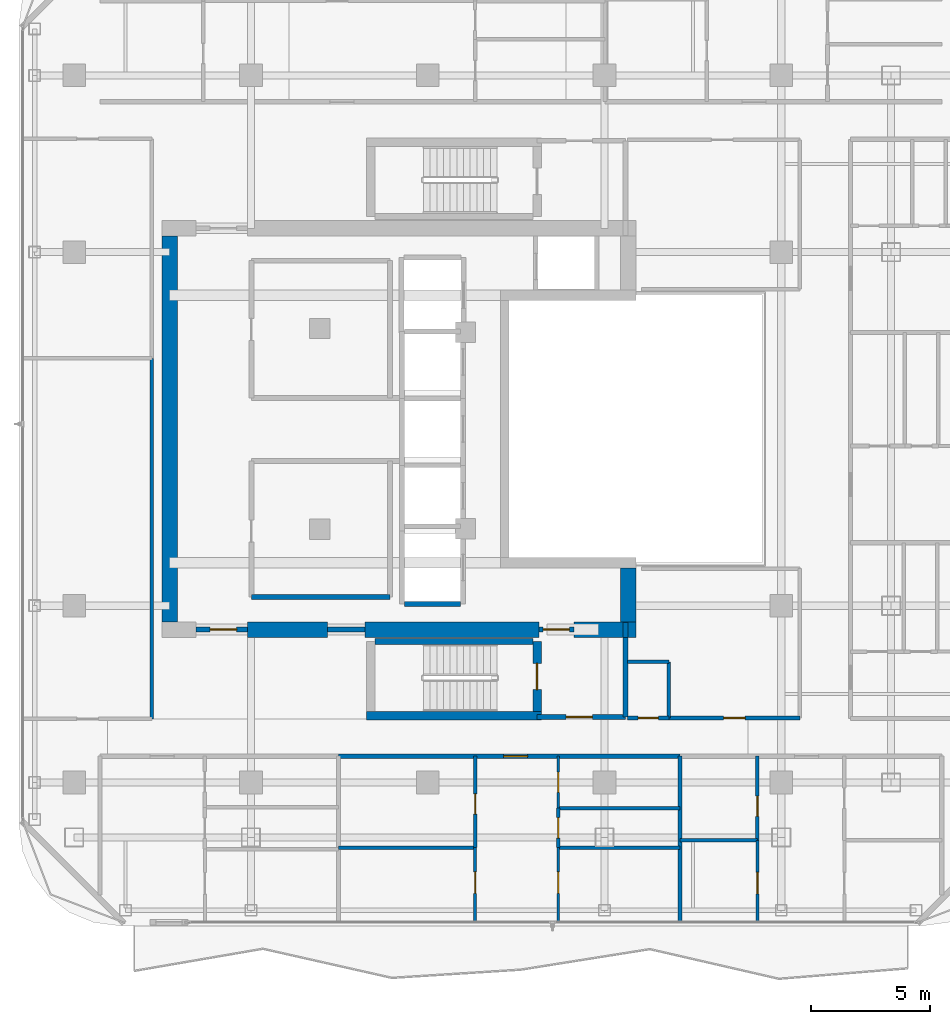
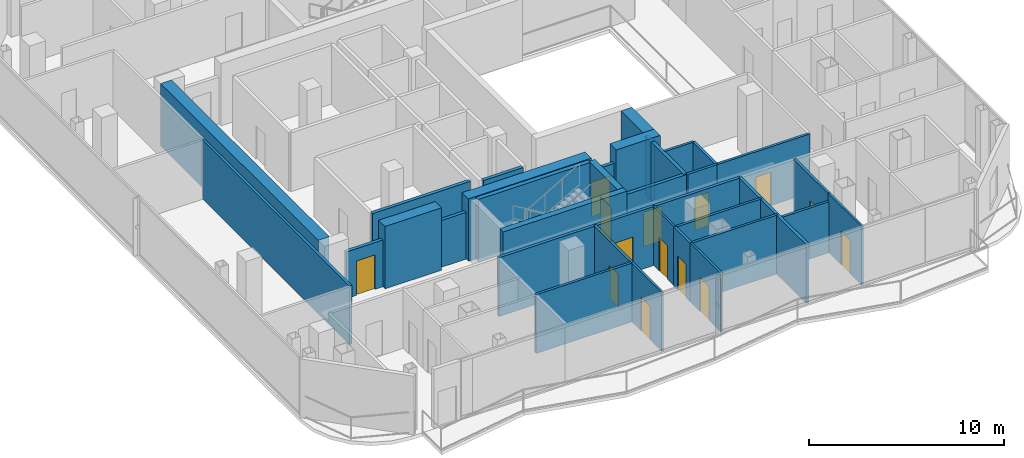
# One storey, part 17 of 26: 34 walls, 14 doors, 14 openings.
"""IFC4 building model written with IfcOpenShell, lengths in metres."""

from ifc_helpers import new_model, si_unit, direction, frame, frame_2d, origin, place, context, subcontext, project, spatial, rectangle, extrude, material, layer, layer_set, type_object, element, fill, save


model = new_model("IFC4")

# Units and contexts
model_context = context("Model", 3, precision=1e-05, world=origin(), true_north=direction((0.0, 1.0)))
body_context = subcontext(model_context, "Body", "Model", "MODEL_VIEW")
ifc_project = project(units=[si_unit("LENGTHUNIT", "METRE"), si_unit("AREAUNIT", "SQUARE_METRE"), si_unit("VOLUMEUNIT", "CUBIC_METRE"), si_unit("PLANEANGLEUNIT", "RADIAN"), si_unit("MASSUNIT", "GRAM", prefix="KILO")], contexts=[model_context])

# Site, building, storey
site_placement = place(None, origin())
site = spatial("IfcSite", under=ifc_project, at=site_placement, CompositionType="ELEMENT")
building_placement = place(site_placement, origin())
building = spatial("IfcBuilding", under=site, at=building_placement, Name="Khorvyn Point Tower", CompositionType="ELEMENT")
storey_placement = place(building_placement, frame((0.0, 0.0, 262.5)))
storey = spatial("IfcBuildingStorey", under=building, at=storey_placement, Name="L64", CompositionType="ELEMENT", Elevation=262.5)

# Wall, opening, door
ifc_material_1 = material(Name="Double acoustic gypsum on twin steel stud", Category="steel")
ifc_layer_1 = layer(ifc_material_1, 0.179931640625)
ifc_layer_set_1 = layer_set([ifc_layer_1], Name="Acoustic Double-Stud Apartment Demising Wall 180")
wall_type_1 = type_object("IfcWallType", Name="Acoustic Double-Stud Apartment Demising Wall 180", PredefinedType="PARTITIONING", material=ifc_layer_set_1)
wall_1_placement = place(storey_placement, frame((-3.735107421875, -13.699951171875, 0.0), z_axis=(0.0, 0.0, 1.0), x_axis=(1.0, 0.0, 0.0)))
wall_1 = element("IfcWall", 1, at=wall_1_placement, inside=storey, type_object=wall_type_1, Name="Wall", PredefinedType="PARTITIONING", context=body_context, shape_type="SweptSolid", body=[
    extrude(rectangle(XDim=14.301025390625, YDim=0.179931640625, at=frame_2d((7.150390625, 0.0))), origin(), (0.0, 0.0, 1.0), 3.679931640625),
])
opening_1_placement = place(wall_1_placement, frame((6.917236328125, 0.0, 0.0)))
opening_1 = element("IfcOpeningElement", 2, at=opening_1_placement, cuts=wall_1, Name="Opening ID-AP60", PredefinedType="OPENING", context=body_context, shape_type="SweptSolid", body=[
    extrude(rectangle(XDim=1.0, YDim=2.199951171875, at=frame_2d((0.5, 1.10009765625))), frame((0.0, 0.099853515625, 0.0), z_axis=(0.0, -1.0, 0.0), x_axis=(1.0, 0.0, 0.0)), (0.0, 0.0, 1.0), 0.199951171875),
])
ifc_material_2 = material(Name="Engineered hardwood fire-rated leaf", Category="wood")
door_type_1 = type_object("IfcDoorType", Name="Acoustic Solid-Core Timber Apartment Entrance Door 1000x2200", OperationType="NOTDEFINED", PredefinedType="DOOR", material=ifc_material_2)
door_1_placement = place(opening_1_placement, origin())
door_1 = element("IfcDoor", 3, at=door_1_placement, inside=storey, type_object=door_type_1, Name="Door", OperationType="SINGLE_SWING_RIGHT", OverallHeight=2.199951171875, OverallWidth=1.0, PredefinedType="DOOR", context=body_context, shape_type="SweptSolid", body=[
    extrude(rectangle(XDim=1.0, YDim=2.199951171875, at=frame_2d((0.5, 1.10009765625))), frame((0.0, 0.02490234375, 0.0), z_axis=(0.0, -1.0, 0.0), x_axis=(1.0, 0.0, 0.0)), (0.0, 0.0, 1.0), 0.050048828125),
])
fill(opening_1, door_1)

# Walls
wall_2_placement = place(storey_placement, frame((10.56591796875, -20.6298828125, 0.0), z_axis=(0.0, 0.0, 1.0), x_axis=(0.0, 1.0, 0.0)))
element("IfcWall", 4, at=wall_2_placement, inside=storey, type_object=wall_type_1, Name="Wall", PredefinedType="PARTITIONING", context=body_context, shape_type="SweptSolid", body=[
    extrude(rectangle(XDim=6.929931640625, YDim=0.179931640625, at=frame_2d((3.46484375, 0.0))), origin(), (0.0, 0.0, 1.0), 3.679931640625),
])
ifc_material_3 = material(Name="Concrete C40/50", Category="concrete")
ifc_layer_2 = layer(ifc_material_3, 0.64990234375)
ifc_layer_set_2 = layer_set([ifc_layer_2], Name="Concrete C40/50 Core Shear Wall 650")
wall_type_2 = type_object("IfcWallType", Name="Concrete C40/50 Core Shear Wall 650", PredefinedType="SHEAR", material=ifc_layer_set_2)
wall_3_placement = place(storey_placement, frame((-7.550048828125, -8.39990234375, 0.0), z_axis=(0.0, 0.0, 1.0), x_axis=(1.0, 0.0, 0.0)))
element("IfcWall", 5, at=wall_3_placement, inside=storey, type_object=wall_type_2, Name="Wall", PredefinedType="SHEAR", context=body_context, shape_type="SweptSolid", body=[
    extrude(rectangle(XDim=3.35009765625, YDim=0.64990234375, at=frame_2d((1.675048828125, 0.0))), origin(), (0.0, 0.0, 1.0), 3.89990234375),
])
wall_4_placement = place(storey_placement, frame((-2.6201171875, -8.39990234375, 0.0), z_axis=(0.0, 0.0, 1.0), x_axis=(1.0, 0.0, 0.0)))
element("IfcWall", 6, at=wall_4_placement, inside=storey, type_object=wall_type_2, Name="Wall", PredefinedType="SHEAR", context=body_context, shape_type="SweptSolid", body=[
    extrude(rectangle(XDim=7.27001953125, YDim=0.64990234375, at=frame_2d((3.635009765625, 0.0))), origin(), (0.0, 0.0, 1.0), 3.89990234375),
])
wall_5_placement = place(storey_placement, frame((6.1201171875, -8.39990234375, 0.0), z_axis=(0.0, 0.0, 1.0), x_axis=(1.0, 0.0, 0.0)))
element("IfcWall", 7, at=wall_5_placement, inside=storey, type_object=wall_type_2, Name="Wall", PredefinedType="SHEAR", context=body_context, shape_type="SweptSolid", body=[
    extrude(rectangle(XDim=2.60498046875, YDim=0.64990234375, at=frame_2d((1.302490234375, 0.0))), origin(), (0.0, 0.0, 1.0), 3.89990234375),
])
wall_6_placement = place(storey_placement, frame((-10.800048828125, -8.074951171875, 0.0), z_axis=(0.0, 0.0, 1.0), x_axis=(0.0, 1.0, 0.0)))
element("IfcWall", 8, at=wall_6_placement, inside=storey, type_object=wall_type_2, Name="Wall", PredefinedType="SHEAR", context=body_context, shape_type="SweptSolid", body=[
    extrude(rectangle(XDim=16.14990234375, YDim=0.64990234375, at=frame_2d((8.074951171875, 0.0))), origin(), (0.0, 0.0, 1.0), 3.89990234375),
])
wall_7_placement = place(storey_placement, frame((8.39990234375, -8.074951171875, 0.0), z_axis=(0.0, 0.0, 1.0), x_axis=(0.0, 1.0, 0.0)))
element("IfcWall", 9, at=wall_7_placement, inside=storey, type_object=wall_type_2, Name="Wall", PredefinedType="SHEAR", context=body_context, shape_type="SweptSolid", body=[
    extrude(rectangle(XDim=2.25, YDim=0.64990234375, at=frame_2d((1.125, 0.0))), origin(), (0.0, 0.0, 1.0), 3.89990234375),
])

# Wall, opening, door
ifc_layer_3 = layer(ifc_material_3, 0.199951171875)
ifc_layer_set_3 = layer_set([ifc_layer_3], Name="Concrete C40/50 Fire-Lobby Compartment Wall 200")
wall_type_3 = type_object("IfcWallType", Name="Concrete C40/50 Fire-Lobby Compartment Wall 200", PredefinedType="SOLIDWALL", material=ifc_layer_set_3)
wall_8_placement = place(storey_placement, frame((4.580078125, -12.06005859375, 0.0), z_axis=(0.0, 0.0, 1.0), x_axis=(1.0, 0.0, 0.0)))
wall_8 = element("IfcWall", 10, at=wall_8_placement, inside=storey, type_object=wall_type_3, Name="Wall", PredefinedType="SOLIDWALL", context=body_context, shape_type="SweptSolid", body=[
    extrude(rectangle(XDim=3.699951171875, YDim=0.199951171875, at=frame_2d((1.85009765625, 0.0))), origin(), (0.0, 0.0, 1.0), 3.679931640625),
])
opening_2_placement = place(wall_8_placement, frame((1.21240234375, 0.0, 0.0)))
opening_2 = element("IfcOpeningElement", 11, at=opening_2_placement, cuts=wall_8, Name="Opening ID-FL90", PredefinedType="OPENING", context=body_context, shape_type="SweptSolid", body=[
    extrude(rectangle(XDim=1.10009765625, YDim=2.14990234375, at=frame_2d((0.550048828125, 1.074951171875))), frame((0.0, 0.10986328125, 0.0), z_axis=(0.0, -1.0, 0.0), x_axis=(1.0, 0.0, 0.0)), (0.0, 0.0, 1.0), 0.219970703125),
])
ifc_material_4 = material(Name="Galvanised powder-coated steel", Category="steel")
door_type_2 = type_object("IfcDoorType", Name="Fire-Rated Steel Lobby and Stair Door 1100x2150", OperationType="NOTDEFINED", PredefinedType="DOOR", material=ifc_material_4)
door_2_placement = place(opening_2_placement, origin())
door_2 = element("IfcDoor", 12, at=door_2_placement, inside=storey, type_object=door_type_2, Name="Door", OperationType="SINGLE_SWING_LEFT", OverallHeight=2.14990234375, OverallWidth=1.10009765625, PredefinedType="DOOR", context=body_context, shape_type="SweptSolid", body=[
    extrude(rectangle(XDim=1.10009765625, YDim=2.14990234375, at=frame_2d((0.550048828125, 1.074951171875))), frame((0.0, 0.02490234375, 0.0), z_axis=(0.0, -1.0, 0.0), x_axis=(1.0, 0.0, 0.0)), (0.0, 0.0, 1.0), 0.050048828125),
])
fill(opening_2, door_2)

wall_9_placement = place(storey_placement, frame((4.64990234375, -8.39990234375, 0.0), z_axis=(0.0, 0.0, 1.0), x_axis=(1.0, 0.0, 0.0)))
wall_9 = element("IfcWall", 13, at=wall_9_placement, inside=storey, type_object=wall_type_3, Name="Wall", PredefinedType="SOLIDWALL", context=body_context, shape_type="SweptSolid", body=[
    extrude(rectangle(XDim=1.47021484375, YDim=0.199951171875, at=frame_2d((0.735107421875, 0.0))), origin(), (0.0, 0.0, 1.0), 2.919921875),
])
opening_3_placement = place(wall_9_placement, frame((0.18505859375, 0.0, 0.0)))
opening_3 = element("IfcOpeningElement", 14, at=opening_3_placement, cuts=wall_9, Name="Opening ID-FL90", PredefinedType="OPENING", context=body_context, shape_type="SweptSolid", body=[
    extrude(rectangle(XDim=1.10009765625, YDim=2.14990234375, at=frame_2d((0.550048828125, 1.074951171875))), frame((0.0, 0.10986328125, 0.0), z_axis=(0.0, -1.0, 0.0), x_axis=(1.0, 0.0, 0.0)), (0.0, 0.0, 1.0), 0.219970703125),
])
door_3_placement = place(opening_3_placement, origin())
door_3 = element("IfcDoor", 15, at=door_3_placement, inside=storey, type_object=door_type_2, Name="Door", OperationType="SINGLE_SWING_RIGHT", OverallHeight=2.14990234375, OverallWidth=1.10009765625, PredefinedType="DOOR", context=body_context, shape_type="SweptSolid", body=[
    extrude(rectangle(XDim=1.10009765625, YDim=2.14990234375, at=frame_2d((0.550048828125, 1.074951171875))), frame((0.0, 0.02490234375, 0.0), z_axis=(0.0, -1.0, 0.0), x_axis=(1.0, 0.0, 0.0)), (0.0, 0.0, 1.0), 0.050048828125),
])
fill(opening_3, door_3)

wall_10_placement = place(storey_placement, frame((-9.699951171875, -8.39990234375, 0.0), z_axis=(0.0, 0.0, 1.0), x_axis=(1.0, 0.0, 0.0)))
wall_10 = element("IfcWall", 16, at=wall_10_placement, inside=storey, type_object=wall_type_3, Name="Wall", PredefinedType="SOLIDWALL", context=body_context, shape_type="SweptSolid", body=[
    extrude(rectangle(XDim=2.14990234375, YDim=0.199951171875, at=frame_2d((1.074951171875, 0.0))), origin(), (0.0, 0.0, 1.0), 2.919921875),
])
opening_4_placement = place(wall_10_placement, frame((0.597900390625, 0.0, 0.0)))
opening_4 = element("IfcOpeningElement", 17, at=opening_4_placement, cuts=wall_10, Name="Opening ID-FL90", PredefinedType="OPENING", context=body_context, shape_type="SweptSolid", body=[
    extrude(rectangle(XDim=1.10009765625, YDim=2.14990234375, at=frame_2d((0.550048828125, 1.074951171875))), frame((0.0, 0.10986328125, 0.0), z_axis=(0.0, -1.0, 0.0), x_axis=(1.0, 0.0, 0.0)), (0.0, 0.0, 1.0), 0.219970703125),
])
door_4_placement = place(opening_4_placement, origin())
door_4 = element("IfcDoor", 18, at=door_4_placement, inside=storey, type_object=door_type_2, Name="Door", OperationType="SINGLE_SWING_RIGHT", OverallHeight=2.14990234375, OverallWidth=1.10009765625, PredefinedType="DOOR", context=body_context, shape_type="SweptSolid", body=[
    extrude(rectangle(XDim=1.10009765625, YDim=2.14990234375, at=frame_2d((0.550048828125, 1.074951171875))), frame((0.0, 0.02490234375, 0.0), z_axis=(0.0, -1.0, 0.0), x_axis=(1.0, 0.0, 0.0)), (0.0, 0.0, 1.0), 0.050048828125),
])
fill(opening_4, door_4)

# Walls
wall_11_placement = place(storey_placement, frame((8.280029296875, -12.06005859375, 0.0), z_axis=(0.0, 0.0, 1.0), x_axis=(0.0, 1.0, 0.0)))
element("IfcWall", 19, at=wall_11_placement, inside=storey, type_object=wall_type_3, Name="Wall", PredefinedType="SOLIDWALL", context=body_context, shape_type="SweptSolid", body=[
    extrude(rectangle(XDim=3.3349609375, YDim=0.199951171875, at=frame_2d((1.66748046875, 0.0))), origin(), (0.0, 0.0, 1.0), 3.679931640625),
])
wall_12_placement = place(storey_placement, frame((-4.199951171875, -8.39990234375, 0.0), z_axis=(0.0, 0.0, 1.0), x_axis=(1.0, 0.0, 0.0)))
element("IfcWall", 20, at=wall_12_placement, inside=storey, type_object=wall_type_3, Name="Wall", PredefinedType="SOLIDWALL", context=body_context, shape_type="SweptSolid", body=[
    extrude(rectangle(XDim=1.579833984375, YDim=0.199951171875, at=frame_2d((0.7900390625, 0.0))), origin(), (0.0, 0.0, 1.0), 2.919921875),
])
wall_13_placement = place(storey_placement, frame((-7.3798828125, -7.0400390625, 0.0), z_axis=(0.0, 0.0, 1.0), x_axis=(1.0, 0.0, 0.0)))
element("IfcWall", 21, at=wall_13_placement, inside=storey, type_object=wall_type_3, Name="Wall", PredefinedType="SOLIDWALL", context=body_context, shape_type="SweptSolid", body=[
    extrude(rectangle(XDim=5.7998046875, YDim=0.199951171875, at=frame_2d((2.89990234375, 0.0))), origin(), (0.0, 0.0, 1.0), 3.679931640625),
])
wall_14_placement = place(storey_placement, frame((8.280029296875, -8.72509765625, 0.0), z_axis=(0.0, 0.0, 1.0), x_axis=(0.0, 1.0, 0.0)))
element("IfcWall", 22, at=wall_14_placement, inside=storey, type_object=wall_type_3, Name="Wall", PredefinedType="SOLIDWALL", context=body_context, shape_type="SweptSolid", body=[
    extrude(rectangle(XDim=0.625, YDim=0.199951171875, at=frame_2d((0.3125, 0.0))), origin(), (0.0, 0.0, 1.0), 3.679931640625),
])
ifc_layer_4 = layer(ifc_material_3, 0.25)
ifc_layer_set_4 = layer_set([ifc_layer_4], Name="Concrete C40/50 Stair Inner Cheek Structural Wall 250")
wall_type_4 = type_object("IfcWallType", Name="Concrete C40/50 Stair Inner Cheek Structural Wall 250", PredefinedType="SHEAR", material=ifc_layer_set_4)
wall_15_placement = place(storey_placement, frame((-2.199951171875, -8.89990234375, 0.0), z_axis=(0.0, 0.0, 1.0), x_axis=(1.0, 0.0, 0.0)))
element("IfcWall", 23, at=wall_15_placement, inside=storey, type_object=wall_type_4, Name="Wall", PredefinedType="SHEAR", context=body_context, shape_type="SweptSolid", body=[
    extrude(rectangle(XDim=6.599853515625, YDim=0.25, at=frame_2d((3.2998046875, 0.0))), origin(), (0.0, 0.0, 1.0), 3.89990234375),
])
ifc_layer_5 = layer(ifc_material_3, 0.35009765625)
ifc_layer_set_5 = layer_set([ifc_layer_5], Name="Concrete C40/50 Stair Shaft Structural Wall 350")
wall_type_5 = type_object("IfcWallType", Name="Concrete C40/50 Stair Shaft Structural Wall 350", PredefinedType="SHEAR", material=ifc_layer_set_5)
wall_16_placement = place(storey_placement, frame((-2.554931640625, -12.0, 0.0), z_axis=(0.0, 0.0, 1.0), x_axis=(1.0, 0.0, 0.0)))
element("IfcWall", 24, at=wall_16_placement, inside=storey, type_object=wall_type_5, Name="L64 ST-01 South Shaft Wall", PredefinedType="SHEAR", context=body_context, shape_type="SweptSolid", body=[
    extrude(rectangle(XDim=7.309814453125, YDim=0.35009765625, at=frame_2d((3.65478515625, 0.0))), origin(), (0.0, 0.0, 1.0), 3.89990234375),
])

# Wall, opening, door
wall_17_placement = place(storey_placement, frame((4.580078125, -8.89990234375, 0.0), z_axis=(0.0, 0.0, 1.0), x_axis=(0.0, -1.0, 0.0)))
wall_17 = element("IfcWall", 25, at=wall_17_placement, inside=storey, type_object=wall_type_5, Name="L64 ST-01 East Landing Door Wall", PredefinedType="SHEAR", context=body_context, shape_type="SweptSolid", body=[
    extrude(rectangle(XDim=2.925048828125, YDim=0.35009765625, at=frame_2d((1.46240234375, 0.0))), origin(), (0.0, 0.0, 1.0), 3.89990234375),
])
opening_5_placement = place(wall_17_placement, frame((0.91259765625, 0.0, 0.0)))
opening_5 = element("IfcOpeningElement", 26, at=opening_5_placement, cuts=wall_17, Name="Opening ID-FL90", PredefinedType="OPENING", context=body_context, shape_type="SweptSolid", body=[
    extrude(rectangle(XDim=1.10009765625, YDim=2.14990234375, at=frame_2d((0.550048828125, 1.074951171875))), frame((0.0, 0.18505859375, 0.0), z_axis=(0.0, -1.0, 0.0), x_axis=(1.0, 0.0, 0.0)), (0.0, 0.0, 1.0), 0.3701171875),
])
door_5_placement = place(opening_5_placement, origin())
door_5 = element("IfcDoor", 27, at=door_5_placement, inside=storey, type_object=door_type_2, Name="L64 ST-01 Smokeproof Landing Door", OperationType="SINGLE_SWING_RIGHT", OverallHeight=2.14990234375, OverallWidth=1.10009765625, PredefinedType="DOOR", context=body_context, shape_type="SweptSolid", body=[
    extrude(rectangle(XDim=1.10009765625, YDim=2.14990234375, at=frame_2d((0.550048828125, 1.074951171875))), frame((0.0, 0.02490234375, 0.0), z_axis=(0.0, -1.0, 0.0), x_axis=(1.0, 0.0, 0.0)), (0.0, 0.0, 1.0), 0.050048828125),
])
fill(opening_5, door_5)

# Wall
ifc_layer_6 = layer(ifc_material_3, 0.199951171875)
ifc_layer_set_6 = layer_set([ifc_layer_6], Name="Concrete C40/50 Structural Hoistway and Stair Shaft Wall 200")
wall_type_6 = type_object("IfcWallType", Name="Concrete C40/50 Structural Hoistway and Stair Shaft Wall 200", PredefinedType="SHEAR", material=ifc_layer_set_6)
wall_18_placement = place(storey_placement, frame((-0.97509765625, -7.324951171875, 0.0), z_axis=(0.0, 0.0, 1.0), x_axis=(1.0, 0.0, 0.0)))
element("IfcWall", 28, at=wall_18_placement, inside=storey, type_object=wall_type_6, Name="Wall", PredefinedType="SHEAR", context=body_context, shape_type="SweptSolid", body=[
    extrude(rectangle(XDim=2.35009765625, YDim=0.199951171875, at=frame_2d((1.175048828125, 0.0))), origin(), (0.0, 0.0, 1.0), 3.679931640625),
])

# Wall, opening, door
ifc_material_5 = material(Name="Gypsum plasterboard on steel stud", Category="steel")
ifc_layer_7 = layer(ifc_material_5, 0.1201171875)
ifc_layer_set_7 = layer_set([ifc_layer_7], Name="Gypsum Acoustic Stud Room Partition Wall 120")
wall_type_7 = type_object("IfcWallType", Name="Gypsum Acoustic Stud Room Partition Wall 120", PredefinedType="PARTITIONING", material=ifc_layer_set_7)
wall_19_placement = place(storey_placement, frame((1.985107421875, -20.6298828125, 0.0), z_axis=(0.0, 0.0, 1.0), x_axis=(0.0, 1.0, 0.0)))
wall_19 = element("IfcWall", 29, at=wall_19_placement, inside=storey, type_object=wall_type_7, Name="Wall", PredefinedType="PARTITIONING", context=body_context, shape_type="SweptSolid", body=[
    extrude(rectangle(XDim=3.10595703125, YDim=0.1201171875, at=frame_2d((1.552978515625, 0.0))), origin(), (0.0, 0.0, 1.0), 3.679931640625),
])
opening_6_placement = place(wall_19_placement, frame((1.188720703125, 0.0, 0.0)))
opening_6 = element("IfcOpeningElement", 30, at=opening_6_placement, cuts=wall_19, Name="Opening ID-RM90", PredefinedType="OPENING", context=body_context, shape_type="SweptSolid", body=[
    extrude(rectangle(XDim=0.89990234375, YDim=2.10009765625, at=frame_2d((0.449951171875, 1.050048828125))), frame((0.0, 0.070068359375, 0.0), z_axis=(0.0, -1.0, 0.0), x_axis=(1.0, 0.0, 0.0)), (0.0, 0.0, 1.0), 0.14013671875),
])
ifc_material_6 = material(Name="Engineered oak veneer timber", Category="wood")
door_type_3 = type_object("IfcDoorType", Name="Flush Engineered Timber Room Door 900x2100", OperationType="NOTDEFINED", PredefinedType="DOOR", material=ifc_material_6)
door_6_placement = place(opening_6_placement, origin())
door_6 = element("IfcDoor", 31, at=door_6_placement, inside=storey, type_object=door_type_3, Name="Door", OperationType="SINGLE_SWING_RIGHT", OverallHeight=2.10009765625, OverallWidth=0.89990234375, PredefinedType="DOOR", context=body_context, shape_type="SweptSolid", body=[
    extrude(rectangle(XDim=0.89990234375, YDim=2.10009765625, at=frame_2d((0.449951171875, 1.050048828125))), frame((0.0, 0.02490234375, 0.0), z_axis=(0.0, -1.0, 0.0), x_axis=(1.0, 0.0, 0.0)), (0.0, 0.0, 1.0), 0.050048828125),
])
fill(opening_6, door_6)

wall_20_placement = place(storey_placement, frame((5.468017578125, -15.8759765625, 0.0), z_axis=(0.0, 0.0, 1.0), x_axis=(0.0, 1.0, 0.0)))
wall_20 = element("IfcWall", 32, at=wall_20_placement, inside=storey, type_object=wall_type_7, Name="Wall", PredefinedType="PARTITIONING", context=body_context, shape_type="SweptSolid", body=[
    extrude(rectangle(XDim=2.176025390625, YDim=0.1201171875, at=frame_2d((1.087890625, 0.0))), origin(), (0.0, 0.0, 1.0), 3.679931640625),
])
opening_7_placement = place(wall_20_placement, frame((0.6630859375, 0.0, 0.0)))
opening_7 = element("IfcOpeningElement", 33, at=opening_7_placement, cuts=wall_20, Name="Opening ID-WC85", PredefinedType="OPENING", context=body_context, shape_type="SweptSolid", body=[
    extrude(rectangle(XDim=0.85009765625, YDim=2.10009765625, at=frame_2d((0.425048828125, 1.050048828125))), frame((0.0, 0.070068359375, 0.0), z_axis=(0.0, -1.0, 0.0), x_axis=(1.0, 0.0, 0.0)), (0.0, 0.0, 1.0), 0.14013671875),
])
ifc_material_7 = material(Name="High-pressure laminate on moisture-resistant core", Category="wood")
door_type_4 = type_object("IfcDoorType", Name="Moisture-Resistant Accessible Washroom Door 850x2100", OperationType="NOTDEFINED", PredefinedType="DOOR", material=ifc_material_7)
door_7_placement = place(opening_7_placement, origin())
door_7 = element("IfcDoor", 34, at=door_7_placement, inside=storey, type_object=door_type_4, Name="Door", OperationType="SINGLE_SWING_RIGHT", OverallHeight=2.10009765625, OverallWidth=0.85009765625, PredefinedType="DOOR", context=body_context, shape_type="SweptSolid", body=[
    extrude(rectangle(XDim=0.85009765625, YDim=2.10009765625, at=frame_2d((0.425048828125, 1.050048828125))), frame((0.0, 0.02490234375, 0.0), z_axis=(0.0, -1.0, 0.0), x_axis=(1.0, 0.0, 0.0)), (0.0, 0.0, 1.0), 0.050048828125),
])
fill(opening_7, door_7)

wall_21_placement = place(storey_placement, frame((5.468017578125, -20.6298828125, 0.0), z_axis=(0.0, 0.0, 1.0), x_axis=(0.0, 1.0, 0.0)))
wall_21 = element("IfcWall", 35, at=wall_21_placement, inside=storey, type_object=wall_type_7, Name="Wall", PredefinedType="PARTITIONING", context=body_context, shape_type="SweptSolid", body=[
    extrude(rectangle(XDim=3.10595703125, YDim=0.1201171875, at=frame_2d((1.552978515625, 0.0))), origin(), (0.0, 0.0, 1.0), 3.679931640625),
])
opening_8_placement = place(wall_21_placement, frame((1.188720703125, 0.0, 0.0)))
opening_8 = element("IfcOpeningElement", 36, at=opening_8_placement, cuts=wall_21, Name="Opening ID-RM90", PredefinedType="OPENING", context=body_context, shape_type="SweptSolid", body=[
    extrude(rectangle(XDim=0.89990234375, YDim=2.10009765625, at=frame_2d((0.449951171875, 1.050048828125))), frame((0.0, 0.070068359375, 0.0), z_axis=(0.0, -1.0, 0.0), x_axis=(1.0, 0.0, 0.0)), (0.0, 0.0, 1.0), 0.14013671875),
])
door_8_placement = place(opening_8_placement, origin())
door_8 = element("IfcDoor", 37, at=door_8_placement, inside=storey, type_object=door_type_3, Name="Door", OperationType="SINGLE_SWING_LEFT", OverallHeight=2.10009765625, OverallWidth=0.89990234375, PredefinedType="DOOR", context=body_context, shape_type="SweptSolid", body=[
    extrude(rectangle(XDim=0.89990234375, YDim=2.10009765625, at=frame_2d((0.449951171875, 1.050048828125))), frame((0.0, 0.02490234375, 0.0), z_axis=(0.0, -1.0, 0.0), x_axis=(1.0, 0.0, 0.0)), (0.0, 0.0, 1.0), 0.050048828125),
])
fill(opening_8, door_8)

wall_22_placement = place(storey_placement, frame((13.804931640625, -20.6298828125, 0.0), z_axis=(0.0, 0.0, 1.0), x_axis=(0.0, 1.0, 0.0)))
wall_22 = element("IfcWall", 38, at=wall_22_placement, inside=storey, type_object=wall_type_7, Name="Wall", PredefinedType="PARTITIONING", context=body_context, shape_type="SweptSolid", body=[
    extrude(rectangle(XDim=3.410888671875, YDim=0.1201171875, at=frame_2d((1.70556640625, 0.0))), origin(), (0.0, 0.0, 1.0), 3.679931640625),
])
opening_9_placement = place(wall_22_placement, frame((1.171142578125, 0.0, 0.0)))
opening_9 = element("IfcOpeningElement", 39, at=opening_9_placement, cuts=wall_22, Name="Opening ID-RM90", PredefinedType="OPENING", context=body_context, shape_type="SweptSolid", body=[
    extrude(rectangle(XDim=0.89990234375, YDim=2.10009765625, at=frame_2d((0.449951171875, 1.050048828125))), frame((0.0, 0.070068359375, 0.0), z_axis=(0.0, -1.0, 0.0), x_axis=(1.0, 0.0, 0.0)), (0.0, 0.0, 1.0), 0.14013671875),
])
door_9_placement = place(opening_9_placement, origin())
door_9 = element("IfcDoor", 40, at=door_9_placement, inside=storey, type_object=door_type_3, Name="Door", OperationType="SINGLE_SWING_RIGHT", OverallHeight=2.10009765625, OverallWidth=0.89990234375, PredefinedType="DOOR", context=body_context, shape_type="SweptSolid", body=[
    extrude(rectangle(XDim=0.89990234375, YDim=2.10009765625, at=frame_2d((0.449951171875, 1.050048828125))), frame((0.0, 0.02490234375, 0.0), z_axis=(0.0, -1.0, 0.0), x_axis=(1.0, 0.0, 0.0)), (0.0, 0.0, 1.0), 0.050048828125),
])
fill(opening_9, door_9)

ifc_material_8 = material(Name="Moisture-resistant gypsum and cement board", Category="gypsum")
ifc_layer_8 = layer(ifc_material_8, 0.14990234375)
ifc_layer_set_8 = layer_set([ifc_layer_8], Name="Moisture-Resistant Wet-Room Partition Wall 150")
wall_type_8 = type_object("IfcWallType", Name="Moisture-Resistant Wet-Room Partition Wall 150", PredefinedType="PARTITIONING", material=ifc_layer_set_8)
wall_23_placement = place(storey_placement, frame((8.360107421875, -12.10009765625, 0.0), z_axis=(0.0, 0.0, 1.0), x_axis=(1.0, 0.0, 0.0)))
wall_23 = element("IfcWall", 41, at=wall_23_placement, inside=storey, type_object=wall_type_8, Name="Wall", PredefinedType="PARTITIONING", context=body_context, shape_type="SweptSolid", body=[
    extrude(rectangle(XDim=1.739990234375, YDim=0.14990234375, at=frame_2d((0.8701171875, 0.0))), origin(), (0.0, 0.0, 1.0), 3.679931640625),
])
opening_10_placement = place(wall_23_placement, frame((0.445068359375, 0.0, 0.0)))
opening_10 = element("IfcOpeningElement", 42, at=opening_10_placement, cuts=wall_23, Name="Opening ID-WC85", PredefinedType="OPENING", context=body_context, shape_type="SweptSolid", body=[
    extrude(rectangle(XDim=0.85009765625, YDim=2.10009765625, at=frame_2d((0.425048828125, 1.050048828125))), frame((0.0, 0.0849609375, 0.0), z_axis=(0.0, -1.0, 0.0), x_axis=(1.0, 0.0, 0.0)), (0.0, 0.0, 1.0), 0.169921875),
])
door_10_placement = place(opening_10_placement, origin())
door_10 = element("IfcDoor", 43, at=door_10_placement, inside=storey, type_object=door_type_4, Name="Door", OperationType="SINGLE_SWING_RIGHT", OverallHeight=2.10009765625, OverallWidth=0.85009765625, PredefinedType="DOOR", context=body_context, shape_type="SweptSolid", body=[
    extrude(rectangle(XDim=0.85009765625, YDim=2.10009765625, at=frame_2d((0.425048828125, 1.050048828125))), frame((0.0, 0.02490234375, 0.0), z_axis=(0.0, -1.0, 0.0), x_axis=(1.0, 0.0, 0.0)), (0.0, 0.0, 1.0), 0.050048828125),
])
fill(opening_10, door_10)

wall_24_placement = place(storey_placement, frame((10.10009765625, -12.10009765625, 0.0), z_axis=(0.0, 0.0, 1.0), x_axis=(1.0, 0.0, 0.0)))
wall_24 = element("IfcWall", 44, at=wall_24_placement, inside=storey, type_object=wall_type_8, Name="Wall", PredefinedType="PARTITIONING", context=body_context, shape_type="SweptSolid", body=[
    extrude(rectangle(XDim=5.47998046875, YDim=0.14990234375, at=frame_2d((2.739990234375, 0.0))), origin(), (0.0, 0.0, 1.0), 3.679931640625),
])
opening_11_placement = place(wall_24_placement, frame((2.2900390625, 0.0, 0.0)))
opening_11 = element("IfcOpeningElement", 45, at=opening_11_placement, cuts=wall_24, Name="Opening ID-RM90", PredefinedType="OPENING", context=body_context, shape_type="SweptSolid", body=[
    extrude(rectangle(XDim=0.89990234375, YDim=2.10009765625, at=frame_2d((0.449951171875, 1.050048828125))), frame((0.0, 0.0849609375, 0.0), z_axis=(0.0, -1.0, 0.0), x_axis=(1.0, 0.0, 0.0)), (0.0, 0.0, 1.0), 0.169921875),
])
door_11_placement = place(opening_11_placement, origin())
door_11 = element("IfcDoor", 46, at=door_11_placement, inside=storey, type_object=door_type_3, Name="Door", OperationType="SINGLE_SWING_LEFT", OverallHeight=2.10009765625, OverallWidth=0.89990234375, PredefinedType="DOOR", context=body_context, shape_type="SweptSolid", body=[
    extrude(rectangle(XDim=0.89990234375, YDim=2.10009765625, at=frame_2d((0.449951171875, 1.050048828125))), frame((0.0, 0.02490234375, 0.0), z_axis=(0.0, -1.0, 0.0), x_axis=(1.0, 0.0, 0.0)), (0.0, 0.0, 1.0), 0.050048828125),
])
fill(opening_11, door_11)

wall_25_placement = place(storey_placement, frame((1.985107421875, -17.52392578125, 0.0), z_axis=(0.0, 0.0, 1.0), x_axis=(0.0, 1.0, 0.0)))
wall_25 = element("IfcWall", 47, at=wall_25_placement, inside=storey, type_object=wall_type_8, Name="Wall", PredefinedType="PARTITIONING", context=body_context, shape_type="SweptSolid", body=[
    extrude(rectangle(XDim=3.823974609375, YDim=0.14990234375, at=frame_2d((1.912109375, 0.0))), origin(), (0.0, 0.0, 1.0), 3.679931640625),
])
opening_12_placement = place(wall_25_placement, frame((1.3984375, 0.0, 0.0)))
opening_12 = element("IfcOpeningElement", 48, at=opening_12_placement, cuts=wall_25, Name="Opening ID-WC85", PredefinedType="OPENING", context=body_context, shape_type="SweptSolid", body=[
    extrude(rectangle(XDim=0.85009765625, YDim=2.10009765625, at=frame_2d((0.425048828125, 1.050048828125))), frame((0.0, 0.0849609375, 0.0), z_axis=(0.0, -1.0, 0.0), x_axis=(1.0, 0.0, 0.0)), (0.0, 0.0, 1.0), 0.169921875),
])
door_12_placement = place(opening_12_placement, origin())
door_12 = element("IfcDoor", 49, at=door_12_placement, inside=storey, type_object=door_type_4, Name="Door", OperationType="SINGLE_SWING_LEFT", OverallHeight=2.10009765625, OverallWidth=0.85009765625, PredefinedType="DOOR", context=body_context, shape_type="SweptSolid", body=[
    extrude(rectangle(XDim=0.85009765625, YDim=2.10009765625, at=frame_2d((0.425048828125, 1.050048828125))), frame((0.0, 0.02490234375, 0.0), z_axis=(0.0, -1.0, 0.0), x_axis=(1.0, 0.0, 0.0)), (0.0, 0.0, 1.0), 0.050048828125),
])
fill(opening_12, door_12)

wall_26_placement = place(storey_placement, frame((5.468017578125, -17.52392578125, 0.0), z_axis=(0.0, 0.0, 1.0), x_axis=(0.0, 1.0, 0.0)))
wall_26 = element("IfcWall", 50, at=wall_26_placement, inside=storey, type_object=wall_type_8, Name="Wall", PredefinedType="PARTITIONING", context=body_context, shape_type="SweptSolid", body=[
    extrude(rectangle(XDim=1.64794921875, YDim=0.14990234375, at=frame_2d((0.823974609375, 0.0))), origin(), (0.0, 0.0, 1.0), 3.679931640625),
])
opening_13_placement = place(wall_26_placement, frame((0.39892578125, 0.0, 0.0)))
opening_13 = element("IfcOpeningElement", 51, at=opening_13_placement, cuts=wall_26, Name="Opening ID-WC85", PredefinedType="OPENING", context=body_context, shape_type="SweptSolid", body=[
    extrude(rectangle(XDim=0.85009765625, YDim=2.10009765625, at=frame_2d((0.425048828125, 1.050048828125))), frame((0.0, 0.0849609375, 0.0), z_axis=(0.0, -1.0, 0.0), x_axis=(1.0, 0.0, 0.0)), (0.0, 0.0, 1.0), 0.169921875),
])
door_13_placement = place(opening_13_placement, origin())
door_13 = element("IfcDoor", 52, at=door_13_placement, inside=storey, type_object=door_type_4, Name="Door", OperationType="SINGLE_SWING_LEFT", OverallHeight=2.10009765625, OverallWidth=0.85009765625, PredefinedType="DOOR", context=body_context, shape_type="SweptSolid", body=[
    extrude(rectangle(XDim=0.85009765625, YDim=2.10009765625, at=frame_2d((0.425048828125, 1.050048828125))), frame((0.0, 0.02490234375, 0.0), z_axis=(0.0, -1.0, 0.0), x_axis=(1.0, 0.0, 0.0)), (0.0, 0.0, 1.0), 0.050048828125),
])
fill(opening_13, door_13)

wall_27_placement = place(storey_placement, frame((13.804931640625, -17.218994140625, 0.0), z_axis=(0.0, 0.0, 1.0), x_axis=(0.0, 1.0, 0.0)))
wall_27 = element("IfcWall", 53, at=wall_27_placement, inside=storey, type_object=wall_type_8, Name="Wall", PredefinedType="PARTITIONING", context=body_context, shape_type="SweptSolid", body=[
    extrude(rectangle(XDim=3.51904296875, YDim=0.14990234375, at=frame_2d((1.759521484375, 0.0))), origin(), (0.0, 0.0, 1.0), 3.679931640625),
])
opening_14_placement = place(wall_27_placement, frame((0.998779296875, 0.0, 0.0)))
opening_14 = element("IfcOpeningElement", 54, at=opening_14_placement, cuts=wall_27, Name="Opening ID-WC85", PredefinedType="OPENING", context=body_context, shape_type="SweptSolid", body=[
    extrude(rectangle(XDim=0.85009765625, YDim=2.10009765625, at=frame_2d((0.425048828125, 1.050048828125))), frame((0.0, 0.0849609375, 0.0), z_axis=(0.0, -1.0, 0.0), x_axis=(1.0, 0.0, 0.0)), (0.0, 0.0, 1.0), 0.169921875),
])
door_14_placement = place(opening_14_placement, origin())
door_14 = element("IfcDoor", 55, at=door_14_placement, inside=storey, type_object=door_type_4, Name="Door", OperationType="SINGLE_SWING_LEFT", OverallHeight=2.10009765625, OverallWidth=0.85009765625, PredefinedType="DOOR", context=body_context, shape_type="SweptSolid", body=[
    extrude(rectangle(XDim=0.85009765625, YDim=2.10009765625, at=frame_2d((0.425048828125, 1.050048828125))), frame((0.0, 0.02490234375, 0.0), z_axis=(0.0, -1.0, 0.0), x_axis=(1.0, 0.0, 0.0)), (0.0, 0.0, 1.0), 0.050048828125),
])
fill(opening_14, door_14)

# Walls
wall_28_placement = place(storey_placement, frame((8.360107421875, -9.75, 0.0), z_axis=(0.0, 0.0, 1.0), x_axis=(1.0, 0.0, 0.0)))
element("IfcWall", 56, at=wall_28_placement, inside=storey, type_object=wall_type_8, Name="Wall", PredefinedType="PARTITIONING", context=body_context, shape_type="SweptSolid", body=[
    extrude(rectangle(XDim=1.739990234375, YDim=0.14990234375, at=frame_2d((0.8701171875, 0.0))), origin(), (0.0, 0.0, 1.0), 3.679931640625),
])
wall_29_placement = place(storey_placement, frame((10.10009765625, -12.10009765625, 0.0), z_axis=(0.0, 0.0, 1.0), x_axis=(0.0, 1.0, 0.0)))
element("IfcWall", 57, at=wall_29_placement, inside=storey, type_object=wall_type_8, Name="Wall", PredefinedType="PARTITIONING", context=body_context, shape_type="SweptSolid", body=[
    extrude(rectangle(XDim=2.35009765625, YDim=0.14990234375, at=frame_2d((1.175048828125, 0.0))), origin(), (0.0, 0.0, 1.0), 3.679931640625),
])
wall_30_placement = place(storey_placement, frame((-3.735107421875, -17.52392578125, 0.0), z_axis=(0.0, 0.0, 1.0), x_axis=(1.0, 0.0, 0.0)))
element("IfcWall", 58, at=wall_30_placement, inside=storey, type_object=wall_type_8, Name="Wall", PredefinedType="PARTITIONING", context=body_context, shape_type="SweptSolid", body=[
    extrude(rectangle(XDim=5.72021484375, YDim=0.14990234375, at=frame_2d((2.860107421875, 0.0))), origin(), (0.0, 0.0, 1.0), 3.679931640625),
])
for number, where, z_axis, x_axis, name in (
    (59, (5.468017578125, -15.8759765625, 0.0), (0.0, 0.0, 1.0), (1.0, 0.0, 0.0), "Wall"),
    (60, (5.468017578125, -17.52392578125, 0.0), (0.0, 0.0, 1.0), (1.0, 0.0, 0.0), "Wall"),
):
    element("IfcWall", number, at=place(storey_placement, frame(where, z_axis=z_axis, x_axis=x_axis)), inside=storey, type_object=wall_type_8, Name=name, PredefinedType="PARTITIONING", context=body_context, shape_type="SweptSolid", body=[
        extrude(rectangle(XDim=5.097900390625, YDim=0.14990234375, at=frame_2d((2.548828125, 0.0))), origin(), (0.0, 0.0, 1.0), 3.679931640625),
    ])
wall_31_placement = place(storey_placement, frame((10.56591796875, -17.218994140625, 0.0), z_axis=(0.0, 0.0, 1.0), x_axis=(1.0, 0.0, 0.0)))
element("IfcWall", 61, at=wall_31_placement, inside=storey, type_object=wall_type_8, Name="Wall", PredefinedType="PARTITIONING", context=body_context, shape_type="SweptSolid", body=[
    extrude(rectangle(XDim=3.239013671875, YDim=0.14990234375, at=frame_2d((1.61962890625, 0.0))), origin(), (0.0, 0.0, 1.0), 3.181884765625),
])
wall_32_placement = place(storey_placement, frame((-11.550048828125, -12.139892578125, 0.0), z_axis=(0.0, 0.0, 1.0), x_axis=(0.0, 1.0, 0.0)))
element("IfcWall", 62, at=wall_32_placement, inside=storey, type_object=wall_type_8, Name="Wall", PredefinedType="PARTITIONING", context=body_context, shape_type="SweptSolid", body=[
    extrude(rectangle(XDim=15.08984375, YDim=0.14990234375, at=frame_2d((7.544921875, 0.0))), origin(), (0.0, 0.0, 1.0), 3.679931640625),
])

save(model, "model.ifc")
